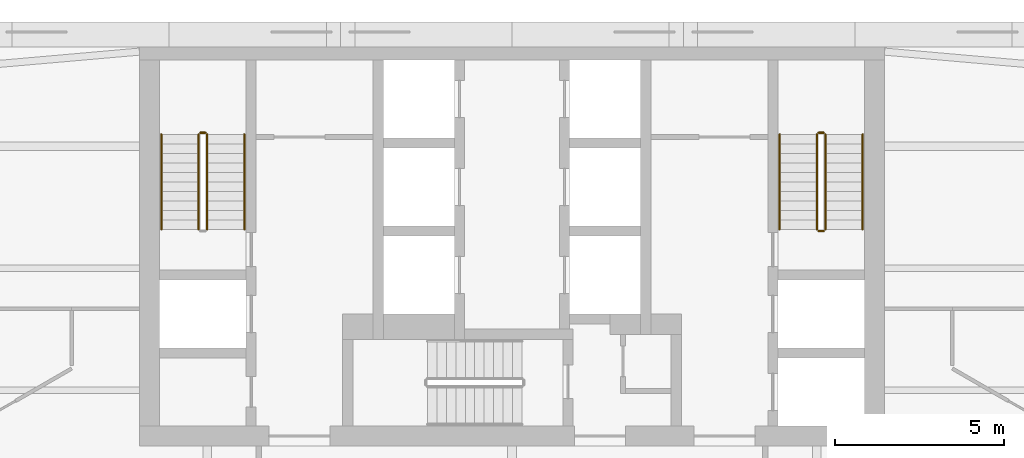
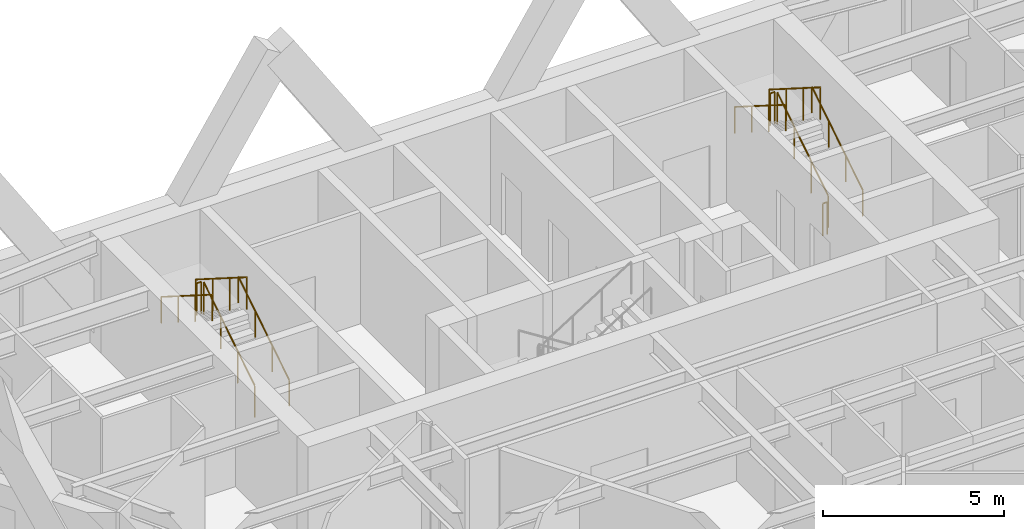
# One storey, part 8 of 8: 11 railings.
"""IFC4 building model written with IfcOpenShell, lengths in metres."""

import ifcopenshell
import ifcopenshell.guid

model = None  # the IFC model being written
_history = None  # IfcOwnerHistory: only IFC2X3 demands one
_inside = {}  # id of a spatial element -> (the spatial element, [elements in it])
_under = {}  # id of a project, library or spatial element -> (it, [spatial elements below it])
_declared = {}  # id of a project -> (the project, [libraries it declares])
_typed = {}  # id of a type object -> (the type object, [elements of that type])
_made_of = {}  # id of a material, layer set ... -> (it, [elements and type objects made of it])


def new_model(schema):
    """Start an empty IFC model of exactly this schema.

    Asked for "IFC4X3", IfcOpenShell would pick the latest addendum, in which some entities
    have other attributes; the version numbers below select the first issue.
    IFC2X3 requires an IfcOwnerHistory on every rooted entity: one is made here for all.
    """
    global model, _history
    if schema == "IFC4X3":
        model = ifcopenshell.file(schema_version=(4, 3, 0, 0))
    else:
        model = ifcopenshell.file(schema=schema)
    _inside.clear()
    _under.clear()
    _declared.clear()
    _typed.clear()
    _made_of.clear()
    _history = None
    if model.schema == "IFC2X3":
        org = make("IfcOrganization", Name="unknown")
        user = make(
            "IfcPersonAndOrganization",
            ThePerson=make("IfcPerson", FamilyName="unknown"),
            TheOrganization=org,
        )
        app = make(
            "IfcApplication",
            ApplicationDeveloper=org,
            Version="unknown",
            ApplicationFullName="unknown",
            ApplicationIdentifier="unknown",
        )
        _history = make(
            "IfcOwnerHistory",
            OwningUser=user,
            OwningApplication=app,
            ChangeAction="ADDED",
            CreationDate=0,
        )
    return model


def make(cls, **values):
    """One entity of the class cls with the attributes given. An attribute that is None is left unset."""
    return model.create_entity(
        cls, **{name: value for name, value in values.items() if value is not None}
    )


def rooted(cls, **values):
    """An entity with a GlobalId (a new one), such as an element, a storey or a relation."""
    return make(cls, GlobalId=ifcopenshell.guid.new(), OwnerHistory=_history, **values)


def si_unit(unit_type, name, prefix=None):
    """IfcSIUnit, for example si_unit("LENGTHUNIT", "METRE", prefix="MILLI")."""
    return make("IfcSIUnit", UnitType=unit_type, Prefix=prefix, Name=name)


def assignment(units):
    """IfcUnitAssignment: the units of a project."""
    return None if units is None else make("IfcUnitAssignment", Units=units)


def point(xyz):
    """IfcCartesianPoint."""
    return None if xyz is None else make("IfcCartesianPoint", Coordinates=xyz)


def direction(xyz):
    """IfcDirection."""
    return None if xyz is None else make("IfcDirection", DirectionRatios=xyz)


def frame(location, z_axis=None, x_axis=None):
    """IfcAxis2Placement3D, a coordinate frame: its origin and axes. An axis left out is left unset."""
    return make(
        "IfcAxis2Placement3D",
        Location=point(location),
        Axis=direction(z_axis),
        RefDirection=direction(x_axis),
    )


def frame_2d(location, x_axis=None):
    """IfcAxis2Placement2D, a coordinate frame in the plane: its origin and x axis."""
    return make(
        "IfcAxis2Placement2D", Location=point(location), RefDirection=direction(x_axis)
    )


def origin():
    """The frame at (0, 0, 0) with its axes left unset."""
    return frame((0.0, 0.0, 0.0))


def origin_2d():
    """The frame at (0, 0) in the plane with its x axis left unset."""
    return frame_2d((0.0, 0.0))


def place(relative_to, where):
    """IfcLocalPlacement: puts the frame where relative to a parent placement (None: the world)."""
    return make(
        "IfcLocalPlacement", PlacementRelTo=relative_to, RelativePlacement=where
    )


def context(
    kind, dimensions, precision=None, world=None, true_north=None, identifier=None
):
    """IfcGeometricRepresentationContext, for example the 3D "Model" context."""
    return make(
        "IfcGeometricRepresentationContext",
        ContextIdentifier=identifier,
        ContextType=kind,
        CoordinateSpaceDimension=dimensions,
        Precision=precision,
        WorldCoordinateSystem=world,
        TrueNorth=true_north,
    )


def subcontext(parent, identifier, kind, view, scale=None):
    """IfcGeometricRepresentationSubContext, for example "Body" below "Model"."""
    return make(
        "IfcGeometricRepresentationSubContext",
        ContextIdentifier=identifier,
        ContextType=kind,
        ParentContext=parent,
        TargetScale=scale,
        TargetView=view,
    )


def project(units=None, contexts=None):
    """IfcProject with its units and contexts."""
    return rooted(
        "IfcProject",
        Name="project",
        RepresentationContexts=contexts,
        UnitsInContext=assignment(units),
    )


def spatial(cls, under=None, at=None, **own):
    """A site, building, storey or space (cls), placed at a placement, below another one or the project."""
    s = rooted(cls, ObjectPlacement=at, **own)
    if under is not None:
        _under.setdefault(under.id(), (under, []))[1].append(s)
    return s


def profile(cls, at=None, kind="AREA", **sizes):
    """A parametric profile (cls). Its sizes go by their IFC names, for example OverallWidth=200.0."""
    return make(cls, ProfileType=kind, Position=at, **sizes)


def circle(**sizes):
    """IfcCircleProfileDef."""
    return profile("IfcCircleProfileDef", **sizes)


def extrude(swept, where, along, depth):
    """IfcExtrudedAreaSolid: the profile swept, set in the frame where, extruded along a direction by depth."""
    return make(
        "IfcExtrudedAreaSolid",
        SweptArea=swept,
        Position=where,
        ExtrudedDirection=direction(along),
        Depth=depth,
    )


def shape(context_of_items, identifier, shape_type, items):
    """IfcShapeRepresentation: the items that make up one representation, for example the "Body"."""
    return make(
        "IfcShapeRepresentation",
        ContextOfItems=context_of_items,
        RepresentationIdentifier=identifier,
        RepresentationType=shape_type,
        Items=items,
    )


def material(Name=None, Category=None):
    """IfcMaterial."""
    return make("IfcMaterial", Name=Name, Category=Category)


def made_of(thing, what):
    """Note that an element or type object is made of a material, layer set ...; save() writes the relation."""
    if what is not None:
        _made_of.setdefault(what.id(), (what, []))[1].append(thing)
    return thing


def type_object(cls, material=None, **own):
    """A type object (cls), such as IfcWallType, which elements share."""
    return made_of(rooted(cls, **own), material)


def element(
    cls,
    number,
    at=None,
    inside=None,
    cuts=None,
    type_object=None,
    material=None,
    context=None,
    identifier="Body",
    shape_type=None,
    held_by="IfcProductDefinitionShape",
    body=None,
    shapes=None,
    **own,
):
    """One element of the class cls, such as IfcWall. Its Tag is "e" and its number.

    at: its placement. inside: the storey or other place that contains it. cuts: it is an
    opening in that element (IfcRelVoidsElement). A single representation is given by context,
    identifier, shape_type and body (its items); several are given by shapes. held_by: the class
    of the entity that holds the representations. save() writes the other relations.
    """
    e = rooted(cls, Tag="e%d" % number, ObjectPlacement=at, **own)
    if body is not None:
        shapes = [shape(context, identifier, shape_type, body)]
    if shapes is not None:
        e.Representation = make(held_by, Representations=shapes)
    if inside is not None:
        _inside.setdefault(inside.id(), (inside, []))[1].append(e)
    if cuts is not None:
        rooted(
            "IfcRelVoidsElement", RelatingBuildingElement=cuts, RelatedOpeningElement=e
        )
    if type_object is not None:
        _typed.setdefault(type_object.id(), (type_object, []))[1].append(e)
    return made_of(e, material)


def aggregate(whole, parts):
    """IfcRelAggregates: a whole, such as a stair, and the parts it consists of."""
    return rooted("IfcRelAggregates", RelatingObject=whole, RelatedObjects=parts)


def save(model, path):
    """Write the relations noted so far, then the file.

    IfcRelAggregates (storeys below a building ...), IfcRelContainedInSpatialStructure (elements
    in a storey), IfcRelDefinesByType, IfcRelAssociatesMaterial and IfcRelDeclares: one each for
    every whole, place, type object, material and project.
    """
    for whole, parts in _under.values():
        aggregate(whole, parts)
    for where, things in _inside.values():
        rooted(
            "IfcRelContainedInSpatialStructure",
            RelatedElements=things,
            RelatingStructure=where,
        )
    for kind, things in _typed.values():
        rooted("IfcRelDefinesByType", RelatedObjects=things, RelatingType=kind)
    for what, things in _made_of.values():
        rooted("IfcRelAssociatesMaterial", RelatedObjects=things, RelatingMaterial=what)
    for by, libraries in _declared.values():
        rooted("IfcRelDeclares", RelatingContext=by, RelatedDefinitions=libraries)
    model.write(path)


model = new_model("IFC4")

# Units and contexts
model_context = context("Model", 3, precision=1e-05, world=origin(), true_north=direction((0.0, 1.0)))
body_context = subcontext(model_context, "Body", "Model", "MODEL_VIEW")
ifc_project = project(units=[si_unit("LENGTHUNIT", "METRE"), si_unit("AREAUNIT", "SQUARE_METRE"), si_unit("VOLUMEUNIT", "CUBIC_METRE"), si_unit("PLANEANGLEUNIT", "RADIAN"), si_unit("MASSUNIT", "GRAM", prefix="KILO")], contexts=[model_context])

# Site, building, storey
site_placement = place(None, origin())
site = spatial("IfcSite", under=ifc_project, at=site_placement, CompositionType="ELEMENT")
building_placement = place(site_placement, origin())
building = spatial("IfcBuilding", under=site, at=building_placement, Name="Aloe Facet Convention Tower", CompositionType="ELEMENT")
storey_placement = place(building_placement, frame((0.0, 0.0, 159.800048828125)))
storey = spatial("IfcBuildingStorey", under=building, at=storey_placement, Name="L40", CompositionType="ELEMENT", Elevation=159.800048828125)

# Railings
ifc_material_1 = material(Name="Steel S355 balustrade", Category="steel")
railing_type_1 = type_object("IfcRailingType", Name="CR-RL-GUARD", PredefinedType="GUARDRAIL", material=ifc_material_1)
railing_1_placement = place(storey_placement, frame((71.0, 128.949951171875, 0.17724609375)))
element("IfcRailing", 1, at=railing_1_placement, inside=storey, type_object=railing_type_1, Name="L40 ST1 stair guard 1", PredefinedType="GUARDRAIL", context=body_context, shape_type="SweptSolid", body=[
    extrude(circle(Radius=0.02392578125, at=origin_2d()), frame((0.0, 0.0, 1.076171875), z_axis=(0.0, 0.844908973607, 0.534910110503), x_axis=(-1.0, 0.0, 0.0)), (0.0, 0.0, 1.0), 3.31396484375),
    extrude(circle(Radius=0.02099609375, at=origin_2d()), origin(), (0.0, 0.0, 1.0), 1.052001953125),
    extrude(circle(Radius=0.02099609375, at=origin_2d()), frame((0.0, 0.933349609375, 0.5908203125)), (0.0, 0.0, 1.0), 1.052001953125),
    extrude(circle(Radius=0.02099609375, at=origin_2d()), frame((0.0, 1.86669921875, 1.181884765625)), (0.0, 0.0, 1.0), 1.052001953125),
    extrude(circle(Radius=0.02099609375, at=origin_2d()), frame((0.0, 2.800048828125, 1.772705078125)), (0.0, 0.0, 1.0), 1.052001953125),
])
railing_2_placement = place(storey_placement, frame((70.949951171875, 131.800048828125, 1.949951171875)))
element("IfcRailing", 2, at=railing_2_placement, inside=storey, type_object=railing_type_1, Name="L40 ST1 stair guard 2", PredefinedType="GUARDRAIL", context=body_context, shape_type="SweptSolid", body=[
    extrude(circle(Radius=0.02392578125, at=origin_2d()), frame((0.0, 0.0, 1.076171875), z_axis=(-1.0, 0.0, 0.0), x_axis=(0.0, -1.0, 0.0)), (0.0, 0.0, 1.0), 0.14990234375),
    extrude(circle(Radius=0.02099609375, at=origin_2d()), origin(), (0.0, 0.0, 1.0), 1.052001953125),
    extrude(circle(Radius=0.02099609375, at=origin_2d()), frame((-0.14990234375, 0.0, 0.0)), (0.0, 0.0, 1.0), 1.052001953125),
])
railing_3_placement = place(storey_placement, frame((70.75, 131.75, 2.127197265625)))
element("IfcRailing", 3, at=railing_3_placement, inside=storey, type_object=railing_type_1, Name="L40 ST1 stair guard 3", PredefinedType="GUARDRAIL", context=body_context, shape_type="SweptSolid", body=[
    extrude(circle(Radius=0.02392578125, at=origin_2d()), frame((0.0, 0.0, 1.076171875), z_axis=(0.0, -0.844908973607, 0.534910110503), x_axis=(1.0, 0.0, 0.0)), (0.0, 0.0, 1.0), 3.31396484375),
    extrude(circle(Radius=0.02099609375, at=origin_2d()), origin(), (0.0, 0.0, 1.0), 1.052001953125),
    extrude(circle(Radius=0.02099609375, at=origin_2d()), frame((0.0, -0.933349609375, 0.5908203125)), (0.0, 0.0, 1.0), 1.052001953125),
    extrude(circle(Radius=0.02099609375, at=origin_2d()), frame((0.0, -1.86669921875, 1.181884765625)), (0.0, 0.0, 1.0), 1.052001953125),
    extrude(circle(Radius=0.02099609375, at=origin_2d()), frame((0.0, -2.800048828125, 1.772705078125)), (0.0, 0.0, 1.0), 1.052001953125),
])
railing_4_placement = place(storey_placement, frame((89.25, 128.949951171875, 0.17724609375)))
element("IfcRailing", 4, at=railing_4_placement, inside=storey, type_object=railing_type_1, Name="L40 ST2 stair guard 1", PredefinedType="GUARDRAIL", context=body_context, shape_type="SweptSolid", body=[
    extrude(circle(Radius=0.02392578125, at=origin_2d()), frame((0.0, 0.0, 1.076171875), z_axis=(0.0, 0.844908973607, 0.534910110503), x_axis=(-1.0, 0.0, 0.0)), (0.0, 0.0, 1.0), 3.31396484375),
    extrude(circle(Radius=0.02099609375, at=origin_2d()), origin(), (0.0, 0.0, 1.0), 1.052001953125),
    extrude(circle(Radius=0.02099609375, at=origin_2d()), frame((0.0, 0.933349609375, 0.5908203125)), (0.0, 0.0, 1.0), 1.052001953125),
    extrude(circle(Radius=0.02099609375, at=origin_2d()), frame((0.0, 1.86669921875, 1.181884765625)), (0.0, 0.0, 1.0), 1.052001953125),
    extrude(circle(Radius=0.02099609375, at=origin_2d()), frame((0.0, 2.800048828125, 1.772705078125)), (0.0, 0.0, 1.0), 1.052001953125),
])
railing_5_placement = place(storey_placement, frame((89.199951171875, 131.800048828125, 1.949951171875)))
element("IfcRailing", 5, at=railing_5_placement, inside=storey, type_object=railing_type_1, Name="L40 ST2 stair guard 2", PredefinedType="GUARDRAIL", context=body_context, shape_type="SweptSolid", body=[
    extrude(circle(Radius=0.02392578125, at=origin_2d()), frame((0.0, 0.0, 1.076171875), z_axis=(-1.0, 0.0, 0.0), x_axis=(0.0, -1.0, 0.0)), (0.0, 0.0, 1.0), 0.14990234375),
    extrude(circle(Radius=0.02099609375, at=origin_2d()), origin(), (0.0, 0.0, 1.0), 1.052001953125),
    extrude(circle(Radius=0.02099609375, at=origin_2d()), frame((-0.14990234375, 0.0, 0.0)), (0.0, 0.0, 1.0), 1.052001953125),
])
railing_6_placement = place(storey_placement, frame((89.0, 131.75, 2.127197265625)))
element("IfcRailing", 6, at=railing_6_placement, inside=storey, type_object=railing_type_1, Name="L40 ST2 stair guard 3", PredefinedType="GUARDRAIL", context=body_context, shape_type="SweptSolid", body=[
    extrude(circle(Radius=0.02392578125, at=origin_2d()), frame((0.0, 0.0, 1.076171875), z_axis=(0.0, -0.844908973607, 0.534910110503), x_axis=(1.0, 0.0, 0.0)), (0.0, 0.0, 1.0), 3.31396484375),
    extrude(circle(Radius=0.02099609375, at=origin_2d()), origin(), (0.0, 0.0, 1.0), 1.052001953125),
    extrude(circle(Radius=0.02099609375, at=origin_2d()), frame((0.0, -0.933349609375, 0.5908203125)), (0.0, 0.0, 1.0), 1.052001953125),
    extrude(circle(Radius=0.02099609375, at=origin_2d()), frame((0.0, -1.86669921875, 1.181884765625)), (0.0, 0.0, 1.0), 1.052001953125),
    extrude(circle(Radius=0.02099609375, at=origin_2d()), frame((0.0, -2.800048828125, 1.772705078125)), (0.0, 0.0, 1.0), 1.052001953125),
])
railing_7_placement = place(storey_placement, frame((89.199951171875, 128.89990234375, 0.0)))
element("IfcRailing", 7, at=railing_7_placement, inside=storey, type_object=railing_type_1, Name="L40 ST2 stair guard 4", PredefinedType="GUARDRAIL", context=body_context, shape_type="SweptSolid", body=[
    extrude(circle(Radius=0.02392578125, at=origin_2d()), frame((0.0, 0.0, 1.076171875), z_axis=(-1.0, 0.0, 0.0), x_axis=(0.0, -1.0, 0.0)), (0.0, 0.0, 1.0), 0.14990234375),
    extrude(circle(Radius=0.02099609375, at=origin_2d()), origin(), (0.0, 0.0, 1.0), 1.052001953125),
    extrude(circle(Radius=0.02099609375, at=origin_2d()), frame((-0.14990234375, 0.0, 0.0)), (0.0, 0.0, 1.0), 1.052001953125),
])
ifc_material_2 = material(Name="Steel S355 handrail", Category="steel")
railing_type_2 = type_object("IfcRailingType", Name="CR-RL-HAND", PredefinedType="HANDRAIL", material=ifc_material_2)
railing_8_placement = place(storey_placement, frame((72.10009765625, 128.949951171875, 0.17724609375)))
element("IfcRailing", 8, at=railing_8_placement, inside=storey, type_object=railing_type_2, Name="L40 ST1 stair handrail 1", PredefinedType="HANDRAIL", context=body_context, shape_type="SweptSolid", body=[
    extrude(circle(Radius=0.02392578125, at=origin_2d()), frame((0.0, 0.0, 0.8759765625), z_axis=(0.0, 0.844908973607, 0.534910110503), x_axis=(-1.0, 0.0, 0.0)), (0.0, 0.0, 1.0), 3.31396484375),
    extrude(circle(Radius=0.02099609375, at=origin_2d()), origin(), (0.0, 0.0, 1.0), 0.851806640625),
    extrude(circle(Radius=0.02099609375, at=origin_2d()), frame((0.0, 0.933349609375, 0.5908203125)), (0.0, 0.0, 1.0), 0.851806640625),
    extrude(circle(Radius=0.02099609375, at=origin_2d()), frame((0.0, 1.86669921875, 1.181884765625)), (0.0, 0.0, 1.0), 0.851806640625),
    extrude(circle(Radius=0.02099609375, at=origin_2d()), frame((0.0, 2.800048828125, 1.772705078125)), (0.0, 0.0, 1.0), 0.851806640625),
])
railing_9_placement = place(storey_placement, frame((69.64990234375, 131.75, 2.127197265625)))
element("IfcRailing", 9, at=railing_9_placement, inside=storey, type_object=railing_type_2, Name="L40 ST1 stair handrail 2", PredefinedType="HANDRAIL", context=body_context, shape_type="SweptSolid", body=[
    extrude(circle(Radius=0.02392578125, at=origin_2d()), frame((0.0, 0.0, 0.8759765625), z_axis=(0.0, -0.844908973607, 0.534910110503), x_axis=(1.0, 0.0, 0.0)), (0.0, 0.0, 1.0), 3.31396484375),
    extrude(circle(Radius=0.02099609375, at=origin_2d()), origin(), (0.0, 0.0, 1.0), 0.851806640625),
    extrude(circle(Radius=0.02099609375, at=origin_2d()), frame((0.0, -0.933349609375, 0.5908203125)), (0.0, 0.0, 1.0), 0.851806640625),
    extrude(circle(Radius=0.02099609375, at=origin_2d()), frame((0.0, -1.86669921875, 1.181884765625)), (0.0, 0.0, 1.0), 0.851806640625),
    extrude(circle(Radius=0.02099609375, at=origin_2d()), frame((0.0, -2.800048828125, 1.772705078125)), (0.0, 0.0, 1.0), 0.851806640625),
])
railing_10_placement = place(storey_placement, frame((90.35009765625, 128.949951171875, 0.17724609375)))
element("IfcRailing", 10, at=railing_10_placement, inside=storey, type_object=railing_type_2, Name="L40 ST2 stair handrail 1", PredefinedType="HANDRAIL", context=body_context, shape_type="SweptSolid", body=[
    extrude(circle(Radius=0.02392578125, at=origin_2d()), frame((0.0, 0.0, 0.8759765625), z_axis=(0.0, 0.844908973607, 0.534910110503), x_axis=(-1.0, 0.0, 0.0)), (0.0, 0.0, 1.0), 3.31396484375),
    extrude(circle(Radius=0.02099609375, at=origin_2d()), origin(), (0.0, 0.0, 1.0), 0.851806640625),
    extrude(circle(Radius=0.02099609375, at=origin_2d()), frame((0.0, 0.933349609375, 0.5908203125)), (0.0, 0.0, 1.0), 0.851806640625),
    extrude(circle(Radius=0.02099609375, at=origin_2d()), frame((0.0, 1.86669921875, 1.181884765625)), (0.0, 0.0, 1.0), 0.851806640625),
    extrude(circle(Radius=0.02099609375, at=origin_2d()), frame((0.0, 2.800048828125, 1.772705078125)), (0.0, 0.0, 1.0), 0.851806640625),
])
railing_11_placement = place(storey_placement, frame((87.89990234375, 131.75, 2.127197265625)))
element("IfcRailing", 11, at=railing_11_placement, inside=storey, type_object=railing_type_2, Name="L40 ST2 stair handrail 2", PredefinedType="HANDRAIL", context=body_context, shape_type="SweptSolid", body=[
    extrude(circle(Radius=0.02392578125, at=origin_2d()), frame((0.0, 0.0, 0.8759765625), z_axis=(0.0, -0.844908973607, 0.534910110503), x_axis=(1.0, 0.0, 0.0)), (0.0, 0.0, 1.0), 3.31396484375),
    extrude(circle(Radius=0.02099609375, at=origin_2d()), origin(), (0.0, 0.0, 1.0), 0.851806640625),
    extrude(circle(Radius=0.02099609375, at=origin_2d()), frame((0.0, -0.933349609375, 0.5908203125)), (0.0, 0.0, 1.0), 0.851806640625),
    extrude(circle(Radius=0.02099609375, at=origin_2d()), frame((0.0, -1.86669921875, 1.181884765625)), (0.0, 0.0, 1.0), 0.851806640625),
    extrude(circle(Radius=0.02099609375, at=origin_2d()), frame((0.0, -2.800048828125, 1.772705078125)), (0.0, 0.0, 1.0), 0.851806640625),
])

save(model, "model.ifc")
